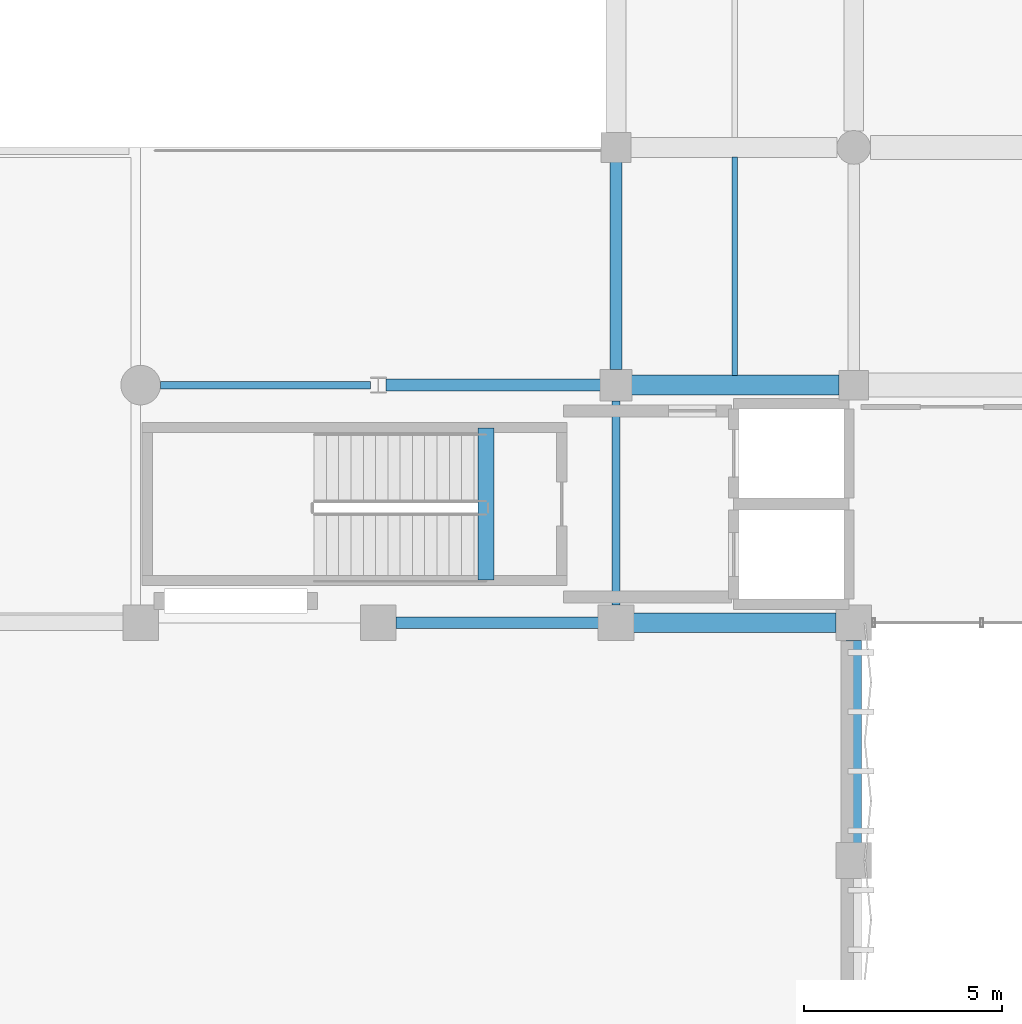
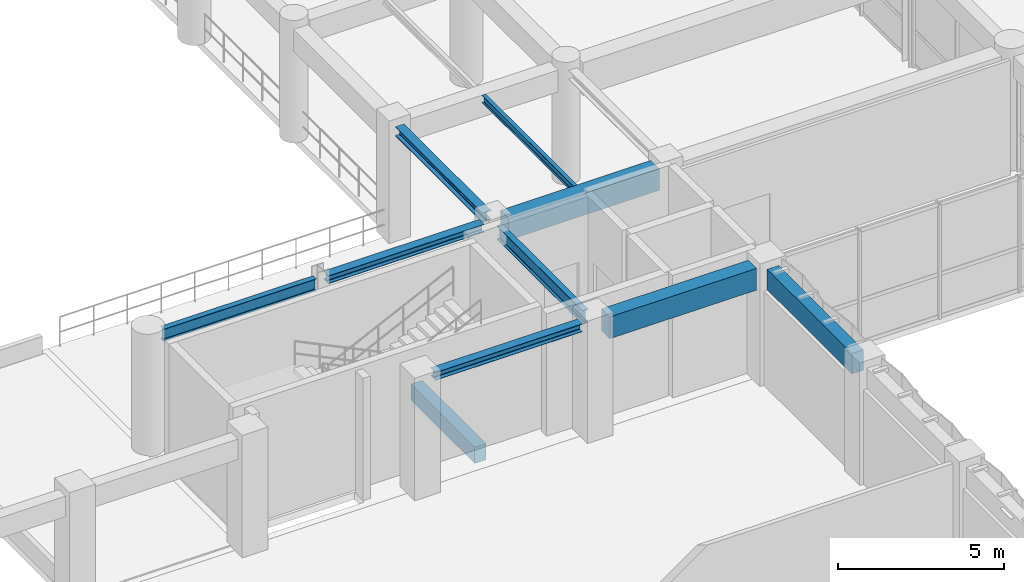
# One storey, part 58 of 133: 10 beams.
"""IFC4 building model written with IfcOpenShell, lengths in metres."""

from ifc_helpers import new_model, si_unit, direction, frame, origin, origin_2d, place, context, subcontext, project, spatial, rectangle, i_section, extrude, material, material_profile, profile_set, type_object, element, save


model = new_model("IFC4")

# Units and contexts
model_context = context("Model", 3, precision=1e-05, world=origin(), true_north=direction((0.0, 1.0)))
body_context = subcontext(model_context, "Body", "Model", "MODEL_VIEW")
ifc_project = project(units=[si_unit("LENGTHUNIT", "METRE"), si_unit("AREAUNIT", "SQUARE_METRE"), si_unit("VOLUMEUNIT", "CUBIC_METRE"), si_unit("PLANEANGLEUNIT", "RADIAN"), si_unit("MASSUNIT", "GRAM", prefix="KILO"), si_unit("THERMODYNAMICTEMPERATUREUNIT", "KELVIN"), si_unit("POWERUNIT", "WATT")], contexts=[model_context])

# Site, building, storey
site_placement = place(None, origin())
site = spatial("IfcSite", under=ifc_project, at=site_placement, CompositionType="ELEMENT")
building_placement = place(site_placement, origin())
building = spatial("IfcBuilding", under=site, at=building_placement, Name="Phaisarnlok Congress Hotel", CompositionType="ELEMENT")
storey_placement = place(building_placement, frame((0.0, 0.0, 6.0)))
storey = spatial("IfcBuildingStorey", under=building, at=storey_placement, Name="L01", CompositionType="ELEMENT", Elevation=6.0)

# Beams
ifc_material_1 = material(Name="Concrete C40/50", Category="concrete")
ifc_material_profile_1 = material_profile(ifc_material_1, rectangle(XDim=0.39990234375, YDim=0.60009765625, at=origin_2d()), Name="RC 400x600")
ifc_profile_set_1 = profile_set([ifc_material_profile_1], Name="Concrete C40/50")
beam_type_1 = type_object("IfcBeamType", Name="BM-RC-400x600", PredefinedType="BEAM", material=ifc_profile_set_1)
beam_1_placement = place(storey_placement, frame((134.719970703125, 37.080078125, -0.300048828125), z_axis=(0.0, 1.0, 0.0), x_axis=(-1.0, 0.0, 0.0)))
element("IfcBeam", 1, at=beam_1_placement, inside=storey, type_object=beam_type_1, Name="Stair landing header beam B-02 (CORE-6 L01)", PredefinedType="BEAM", context=body_context, shape_type="SweptSolid", body=[
    extrude(rectangle(XDim=0.39990234375, YDim=0.60009765625, at=origin_2d()), origin(), (0.0, 0.0, 1.0), 3.83984375),
])
ifc_material_profile_2 = material_profile(ifc_material_1, rectangle(XDim=0.5, YDim=0.800048828125, at=origin_2d()), Name="RC 500x800")
ifc_profile_set_2 = profile_set([ifc_material_profile_2], Name="Concrete C40/50")
beam_type_2 = type_object("IfcBeamType", Name="BM-RC-500x800", PredefinedType="BEAM", material=ifc_profile_set_2)
beam_2_placement = place(storey_placement, frame((138.445068359375, 36.0, 3.820068359375), z_axis=(1.0, 0.0, 0.0), x_axis=(0.0, 1.0, 0.0)))
element("IfcBeam", 2, at=beam_2_placement, inside=storey, type_object=beam_type_2, Name="Beam B-04", PredefinedType="BEAM", context=body_context, shape_type="SweptSolid", body=[
    extrude(rectangle(XDim=0.5, YDim=0.800048828125, at=origin_2d()), origin(), (0.0, 0.0, 1.0), 5.10986328125),
])
beam_3_placement = place(storey_placement, frame((138.39501953125, 42.0, 3.820068359375), z_axis=(1.0, 0.0, 0.0), x_axis=(0.0, 1.0, 0.0)))
element("IfcBeam", 3, at=beam_3_placement, inside=storey, type_object=beam_type_2, Name="Beam B-04", PredefinedType="BEAM", context=body_context, shape_type="SweptSolid", body=[
    extrude(rectangle(XDim=0.5, YDim=0.800048828125, at=origin_2d()), origin(), (0.0, 0.0, 1.0), 5.23486328125),
])
ifc_material_2 = material(Name="Steel S355", Category="steel")
ifc_material_profile_3 = material_profile(ifc_material_2, i_section(OverallWidth=0.300048828125, OverallDepth=0.2900390625, WebThickness=0.008544921875, FlangeThickness=0.013916015625, FilletRadius=0.027099609375, at=origin_2d()), Name="HEA 300")
ifc_profile_set_3 = profile_set([ifc_material_profile_3], Name="Steel S355")
beam_type_3 = type_object("IfcBeamType", Name="BM-STL-HEA300", PredefinedType="BEAM", material=ifc_profile_set_3)
beam_4_placement = place(storey_placement, frame((132.445068359375, 36.0, 4.074951171875), z_axis=(1.0, 0.0, 0.0), x_axis=(0.0, 1.0, 0.0)))
element("IfcBeam", 4, at=beam_4_placement, inside=storey, type_object=beam_type_3, Name="Beam SB-05", PredefinedType="BEAM", context=body_context, shape_type="SweptSolid", body=[
    extrude(i_section(OverallWidth=0.300048828125, OverallDepth=0.2900390625, WebThickness=0.008544921875, FlangeThickness=0.013916015625, FilletRadius=0.027099609375, at=origin_2d()), origin(), (0.0, 0.0, 1.0), 5.10986328125),
])
beam_5_placement = place(storey_placement, frame((132.195556640625, 42.0, 4.074951171875), z_axis=(1.0, 0.0, 0.0), x_axis=(0.0, 1.0, 0.0)))
element("IfcBeam", 5, at=beam_5_placement, inside=storey, type_object=beam_type_3, Name="Beam SB-05", PredefinedType="BEAM", context=body_context, shape_type="SweptSolid", body=[
    extrude(i_section(OverallWidth=0.300048828125, OverallDepth=0.2900390625, WebThickness=0.008544921875, FlangeThickness=0.013916015625, FilletRadius=0.027099609375, at=origin_2d()), origin(), (0.0, 0.0, 1.0), 5.409423828125),
])
ifc_material_profile_4 = material_profile(ifc_material_2, i_section(OverallWidth=0.300048828125, OverallDepth=0.340087890625, WebThickness=0.011962890625, FlangeThickness=0.021484375, FilletRadius=0.027099609375, at=origin_2d()), Name="HEB 340")
ifc_profile_set_4 = profile_set([ifc_material_profile_4], Name="Steel S355")
beam_type_4 = type_object("IfcBeamType", Name="BM-STL-HEB340", PredefinedType="BEAM", material=ifc_profile_set_4)
beam_6_placement = place(storey_placement, frame((138.0, 42.39501953125, 4.050048828125), z_axis=(0.0, 1.0, 0.0), x_axis=(-1.0, 0.0, 0.0)))
element("IfcBeam", 6, at=beam_6_placement, inside=storey, type_object=beam_type_4, Name="Beam SB-07", PredefinedType="BEAM", context=body_context, shape_type="SweptSolid", body=[
    extrude(i_section(OverallWidth=0.300048828125, OverallDepth=0.340087890625, WebThickness=0.011962890625, FlangeThickness=0.021484375, FilletRadius=0.027099609375, at=origin_2d()), origin(), (0.0, 0.0, 1.0), 5.23486328125),
])
ifc_material_profile_5 = material_profile(ifc_material_2, i_section(OverallWidth=0.18994140625, OverallDepth=0.449951171875, WebThickness=0.009521484375, FlangeThickness=0.0146484375, FilletRadius=0.02099609375, at=origin_2d()), Name="IPE 450")
ifc_profile_set_5 = profile_set([ifc_material_profile_5], Name="Steel S355")
beam_type_5 = type_object("IfcBeamType", Name="BM-STL-IPE450", PredefinedType="BEAM", material=ifc_profile_set_5)
beam_7_placement = place(storey_placement, frame((126.4951171875, 42.0, 3.9951171875), z_axis=(1.0, 0.0, 0.0), x_axis=(0.0, 1.0, 0.0)))
element("IfcBeam", 7, at=beam_7_placement, inside=storey, type_object=beam_type_5, Name="Beam SB-01", PredefinedType="BEAM", context=body_context, shape_type="SweptSolid", body=[
    extrude(i_section(OverallWidth=0.18994140625, OverallDepth=0.449951171875, WebThickness=0.009521484375, FlangeThickness=0.0146484375, FilletRadius=0.02099609375, at=origin_2d()), origin(), (0.0, 0.0, 1.0), 5.309326171875),
])
ifc_material_profile_6 = material_profile(ifc_material_2, i_section(OverallWidth=0.199951171875, OverallDepth=0.5, WebThickness=0.01025390625, FlangeThickness=0.01611328125, FilletRadius=0.02099609375, at=origin_2d()), Name="IPE 500")
ifc_profile_set_6 = profile_set([ifc_material_profile_6], Name="Steel S355")
beam_type_6 = type_object("IfcBeamType", Name="BM-STL-IPE500", PredefinedType="BEAM", material=ifc_profile_set_6)
beam_8_placement = place(storey_placement, frame((138.0, 36.445068359375, 3.969970703125), z_axis=(0.0, 1.0, 0.0), x_axis=(-1.0, 0.0, 0.0)))
element("IfcBeam", 8, at=beam_8_placement, inside=storey, type_object=beam_type_6, Name="Beam SB-02", PredefinedType="BEAM", context=body_context, shape_type="SweptSolid", body=[
    extrude(i_section(OverallWidth=0.199951171875, OverallDepth=0.5, WebThickness=0.01025390625, FlangeThickness=0.01611328125, FilletRadius=0.02099609375, at=origin_2d()), origin(), (0.0, 0.0, 1.0), 5.159912109375),
])
ifc_material_profile_7 = material_profile(ifc_material_2, i_section(OverallWidth=0.135009765625, OverallDepth=0.27001953125, WebThickness=0.006591796875, FlangeThickness=0.01025390625, FilletRadius=0.014892578125, at=origin_2d()), Name="IPE 270")
ifc_profile_set_7 = profile_set([ifc_material_profile_7], Name="Steel S355")
beam_type_7 = type_object("IfcBeamType", Name="JS-STL-IPE270", PredefinedType="JOIST", material=ifc_profile_set_7)
beam_9_placement = place(storey_placement, frame((141.0, 42.2451171875, 4.0849609375), z_axis=(0.0, 1.0, 0.0), x_axis=(-1.0, 0.0, 0.0)))
element("IfcBeam", 9, at=beam_9_placement, inside=storey, type_object=beam_type_7, Name="Secondary floor joist J-02", PredefinedType="JOIST", context=body_context, shape_type="SweptSolid", body=[
    extrude(i_section(OverallWidth=0.135009765625, OverallDepth=0.27001953125, WebThickness=0.006591796875, FlangeThickness=0.01025390625, FilletRadius=0.014892578125, at=origin_2d()), origin(), (0.0, 0.0, 1.0), 5.509765625),
])
ifc_material_profile_8 = material_profile(ifc_material_1, rectangle(XDim=0.39990234375, YDim=0.75, at=origin_2d()), Name="RC 400x750")
ifc_profile_set_8 = profile_set([ifc_material_profile_8], Name="Concrete C40/50")
beam_type_8 = type_object("IfcBeamType", Name="SP-RC-400x750", PredefinedType="SPANDREL", material=ifc_profile_set_8)
beam_10_placement = place(storey_placement, frame((144.0, 30.445068359375, 3.844970703125), z_axis=(0.0, 1.0, 0.0), x_axis=(-1.0, 0.0, 0.0)))
element("IfcBeam", 10, at=beam_10_placement, inside=storey, type_object=beam_type_8, Name="Beam SP-02", PredefinedType="SPANDREL", context=body_context, shape_type="SweptSolid", body=[
    extrude(rectangle(XDim=0.39990234375, YDim=0.75, at=origin_2d()), origin(), (0.0, 0.0, 1.0), 5.10986328125),
])

save(model, "model.ifc")
